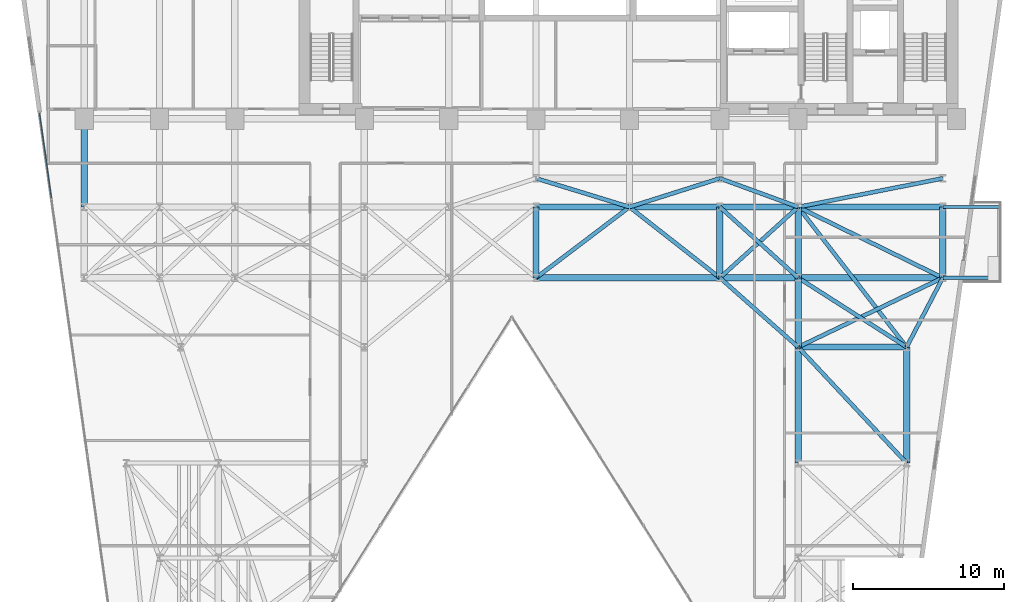
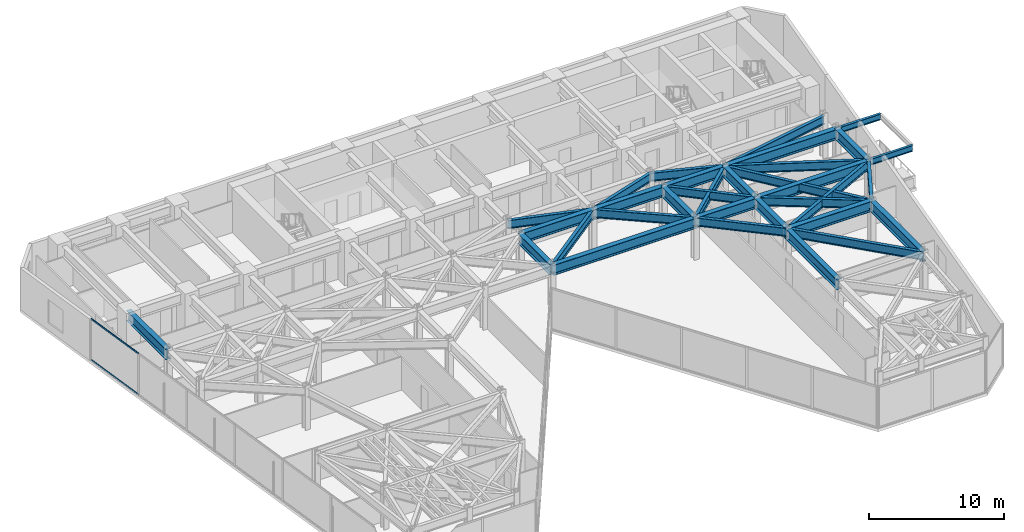
# One storey, part 16 of 24: 33 beams, 2 members, 1 element without a shape of its own.
"""IFC4 building model written with IfcOpenShell, lengths in metres."""

from ifc_helpers import new_model, si_unit, direction, frame, origin, origin_2d, place, context, subcontext, project, spatial, hollow_rectangle, i_section, extrude, material, layer, layer_set, material_profile, profile_set, type_object, element, aggregate, save


model = new_model("IFC4")

# Units and contexts
model_context = context("Model", 3, precision=1e-05, world=origin(), true_north=direction((0.0, 1.0)))
body_context = subcontext(model_context, "Body", "Model", "MODEL_VIEW")
ifc_project = project(units=[si_unit("LENGTHUNIT", "METRE"), si_unit("AREAUNIT", "SQUARE_METRE"), si_unit("VOLUMEUNIT", "CUBIC_METRE"), si_unit("PLANEANGLEUNIT", "RADIAN"), si_unit("MASSUNIT", "GRAM", prefix="KILO")], contexts=[model_context])

# Site, building, storey
site_placement = place(None, origin())
site = spatial("IfcSite", under=ifc_project, at=site_placement, CompositionType="ELEMENT")
building_placement = place(site_placement, origin())
building = spatial("IfcBuilding", under=site, at=building_placement, Name="Kravanh Interchange Tower", CompositionType="ELEMENT")
storey_placement = place(building_placement, frame((0.0, 0.0, 61.5)))
storey = spatial("IfcBuildingStorey", under=building, at=storey_placement, Name="L14", CompositionType="ELEMENT", Elevation=61.5)

# Curtain wall, members
ifc_material_1 = material(Name="Anodised Bronze Aluminium", Category="aluminium")
ifc_layer = layer(ifc_material_1, 0.179931640625)
ifc_layer_set = layer_set([ifc_layer], Name="Unitised Curtain Wall System CW-Z1 Lower Office")
curtain_wall_type = type_object("IfcCurtainWallType", Name="Unitised Curtain Wall System CW-Z1 Lower Office", PredefinedType="NOTDEFINED", material=ifc_layer_set)
curtain_wall_placement = place(storey_placement, origin())
curtain_wall = element("IfcCurtainWall", 1, at=curtain_wall_placement, inside=storey, type_object=curtain_wall_type, Name="L14 Unitised Curtain Wall CW-L14-01", PredefinedType="NOTDEFINED")
ifc_material_2 = material(Name="Anodised Bronze Aluminium", Category="aluminium")
ifc_material_profile_1 = material_profile(ifc_material_2, hollow_rectangle(XDim=0.06005859375, YDim=0.139892578125, WallThickness=0.00390625, at=origin_2d()), Name="ALU60X140X4")
ifc_profile_set_1 = profile_set([ifc_material_profile_1], Name="Anodised Bronze Aluminium")
member_type = type_object("IfcMemberType", Name="Curtain Wall Transom ALU60X140X4 Bronze", PredefinedType="USERDEFINED", material=ifc_profile_set_1)
member_1_placement = place(storey_placement, frame((6.422607421875, 32.1240234375, 0.030029296875), z_axis=(-0.139193386559, 0.990265217575, 0.0), x_axis=(-0.990265217575, -0.139193386559, 0.0)))
member_1 = element("IfcMember", 2, at=member_1_placement, type_object=member_type, Name="CW-Z1 transom 6.1", ObjectType="TRANSOM", PredefinedType="USERDEFINED", context=body_context, shape_type="SweptSolid", body=[
    extrude(hollow_rectangle(XDim=0.06005859375, YDim=0.139892578125, WallThickness=0.00390625, at=origin_2d()), origin(), (0.0, 0.0, 1.0), 5.661865234375),
])
member_2_placement = place(storey_placement, frame((6.422607421875, 32.1240234375, 3.7099609375), z_axis=(-0.139193386559, 0.990265217575, 0.0), x_axis=(-0.990265217575, -0.139193386559, 0.0)))
member_2 = element("IfcMember", 3, at=member_2_placement, type_object=member_type, Name="CW-Z1 transom 6.2", ObjectType="TRANSOM", PredefinedType="USERDEFINED", context=body_context, shape_type="SweptSolid", body=[
    extrude(hollow_rectangle(XDim=0.06005859375, YDim=0.139892578125, WallThickness=0.00390625, at=origin_2d()), origin(), (0.0, 0.0, 1.0), 5.661865234375),
])
aggregate(curtain_wall, [member_1, member_2])

# Beams
ifc_material_3 = material(Name="Structural Steel S355", Category="steel")
ifc_material_profile_2 = material_profile(ifc_material_3, i_section(OverallWidth=0.41796875, OverallDepth=0.927001953125, WebThickness=0.019287109375, FlangeThickness=0.031982421875, FilletRadius=0.028076171875, at=origin_2d()), Name="W36X231")
ifc_profile_set_2 = profile_set([ifc_material_profile_2], Name="Structural Steel S355")
beam_type_1 = type_object("IfcBeamType", Name="Floor Beam W36X231 Structural Steel S355", PredefinedType="BEAM", material=ifc_profile_set_2)
beam_1_placement = place(storey_placement, frame((8.60009765625, 37.35009765625, 3.276611328125), z_axis=(0.0, -1.0, 0.0), x_axis=(1.0, 0.0, 0.0)))
element("IfcBeam", 4, at=beam_1_placement, inside=storey, type_object=beam_type_1, Name="L14 Primary Floor Girder 36", PredefinedType="BEAM", context=body_context, shape_type="SweptSolid", body=[
    extrude(i_section(OverallWidth=0.41796875, OverallDepth=0.927001953125, WebThickness=0.019287109375, FlangeThickness=0.031982421875, FilletRadius=0.028076171875, at=origin_2d()), origin(), (0.0, 0.0, 1.0), 5.85009765625),
])
for number, where, z_axis, x_axis, name in (
    (5, (56.0, 14.5, 3.276611328125), (0.0, 1.0, 0.0), (-1.0, 0.0, 0.0), "L14 Primary Floor Girder 44"),
    (6, (63.199951171875, 14.5, 3.276611328125), (0.0, 1.0, 0.0), (-1.0, 0.0, 0.0), "L14 Primary Floor Girder 47"),
):
    element("IfcBeam", number, at=place(storey_placement, frame(where, z_axis=z_axis, x_axis=x_axis)), inside=storey, type_object=beam_type_1, Name=name, PredefinedType="BEAM", context=body_context, shape_type="SweptSolid", body=[
        extrude(i_section(OverallWidth=0.41796875, OverallDepth=0.927001953125, WebThickness=0.019287109375, FlangeThickness=0.031982421875, FilletRadius=0.028076171875, at=origin_2d()), origin(), (0.0, 0.0, 1.0), 7.699951171875),
    ])
beam_2_placement = place(storey_placement, frame((56.0, 22.199951171875, 3.276611328125), z_axis=(0.0, 1.0, 0.0), x_axis=(-1.0, 0.0, 0.0)))
element("IfcBeam", 7, at=beam_2_placement, inside=storey, type_object=beam_type_1, Name="L14 Primary Floor Girder 58", PredefinedType="BEAM", context=body_context, shape_type="SweptSolid", body=[
    extrude(i_section(OverallWidth=0.41796875, OverallDepth=0.927001953125, WebThickness=0.019287109375, FlangeThickness=0.031982421875, FilletRadius=0.028076171875, at=origin_2d()), origin(), (0.0, 0.0, 1.0), 4.60009765625),
])
beam_3_placement = place(storey_placement, frame((56.0, 22.199951171875, 3.276611328125), z_axis=(1.0, 0.0, 0.0), x_axis=(0.0, 1.0, 0.0)))
element("IfcBeam", 8, at=beam_3_placement, inside=storey, type_object=beam_type_1, Name="L14 Primary Floor Girder 60", PredefinedType="BEAM", context=body_context, shape_type="SweptSolid", body=[
    extrude(i_section(OverallWidth=0.41796875, OverallDepth=0.927001953125, WebThickness=0.019287109375, FlangeThickness=0.031982421875, FilletRadius=0.028076171875, at=origin_2d()), origin(), (0.0, 0.0, 1.0), 7.199951171875),
])
beam_4_placement = place(storey_placement, frame((38.60009765625, 26.800048828125, 3.276611328125), z_axis=(0.0, 1.0, 0.0), x_axis=(-1.0, 0.0, 0.0)))
element("IfcBeam", 9, at=beam_4_placement, inside=storey, type_object=beam_type_1, Name="L14 Primary Floor Girder 86", PredefinedType="BEAM", context=body_context, shape_type="SweptSolid", body=[
    extrude(i_section(OverallWidth=0.41796875, OverallDepth=0.927001953125, WebThickness=0.019287109375, FlangeThickness=0.031982421875, FilletRadius=0.028076171875, at=origin_2d()), origin(), (0.0, 0.0, 1.0), 4.699951171875),
])
beam_5_placement = place(storey_placement, frame((38.60009765625, 26.800048828125, 3.276611328125), z_axis=(1.0, 0.0, 0.0), x_axis=(0.0, 1.0, 0.0)))
element("IfcBeam", 10, at=beam_5_placement, inside=storey, type_object=beam_type_1, Name="L14 Primary Floor Girder 89", PredefinedType="BEAM", context=body_context, shape_type="SweptSolid", body=[
    extrude(i_section(OverallWidth=0.41796875, OverallDepth=0.927001953125, WebThickness=0.019287109375, FlangeThickness=0.031982421875, FilletRadius=0.028076171875, at=origin_2d()), origin(), (0.0, 0.0, 1.0), 12.199951171875),
])
beam_6_placement = place(storey_placement, frame((50.800048828125, 26.800048828125, 3.276611328125), z_axis=(0.0, 1.0, 0.0), x_axis=(-1.0, 0.0, 0.0)))
element("IfcBeam", 11, at=beam_6_placement, inside=storey, type_object=beam_type_1, Name="L14 Primary Floor Girder 90", PredefinedType="BEAM", context=body_context, shape_type="SweptSolid", body=[
    extrude(i_section(OverallWidth=0.41796875, OverallDepth=0.927001953125, WebThickness=0.019287109375, FlangeThickness=0.031982421875, FilletRadius=0.028076171875, at=origin_2d()), origin(), (0.0, 0.0, 1.0), 4.699951171875),
])
beam_7_placement = place(storey_placement, frame((50.800048828125, 26.800048828125, 3.276611328125), z_axis=(1.0, 0.0, 0.0), x_axis=(0.0, 1.0, 0.0)))
element("IfcBeam", 12, at=beam_7_placement, inside=storey, type_object=beam_type_1, Name="L14 Primary Floor Girder 91", PredefinedType="BEAM", context=body_context, shape_type="SweptSolid", body=[
    extrude(i_section(OverallWidth=0.41796875, OverallDepth=0.927001953125, WebThickness=0.019287109375, FlangeThickness=0.031982421875, FilletRadius=0.028076171875, at=origin_2d()), origin(), (0.0, 0.0, 1.0), 5.199951171875),
])
beam_8_placement = place(storey_placement, frame((56.0, 26.800048828125, 3.276611328125), z_axis=(0.0, 1.0, 0.0), x_axis=(-1.0, 0.0, 0.0)))
element("IfcBeam", 13, at=beam_8_placement, inside=storey, type_object=beam_type_1, Name="L14 Primary Floor Girder 94", PredefinedType="BEAM", context=body_context, shape_type="SweptSolid", body=[
    extrude(i_section(OverallWidth=0.41796875, OverallDepth=0.927001953125, WebThickness=0.019287109375, FlangeThickness=0.031982421875, FilletRadius=0.028076171875, at=origin_2d()), origin(), (0.0, 0.0, 1.0), 4.699951171875),
])
beam_9_placement = place(storey_placement, frame((56.0, 26.800048828125, 3.276611328125), z_axis=(1.0, 0.0, 0.0), x_axis=(0.0, 1.0, 0.0)))
element("IfcBeam", 14, at=beam_9_placement, inside=storey, type_object=beam_type_1, Name="L14 Primary Floor Girder 97", PredefinedType="BEAM", context=body_context, shape_type="SweptSolid", body=[
    extrude(i_section(OverallWidth=0.41796875, OverallDepth=0.927001953125, WebThickness=0.019287109375, FlangeThickness=0.031982421875, FilletRadius=0.028076171875, at=origin_2d()), origin(), (0.0, 0.0, 1.0), 9.60009765625),
])
beam_10_placement = place(storey_placement, frame((65.60009765625, 26.800048828125, 3.276611328125), z_axis=(0.0, 1.0, 0.0), x_axis=(-1.0, 0.0, 0.0)))
element("IfcBeam", 15, at=beam_10_placement, inside=storey, type_object=beam_type_1, Name="L14 Primary Floor Girder 98", PredefinedType="BEAM", context=body_context, shape_type="SweptSolid", body=[
    extrude(i_section(OverallWidth=0.41796875, OverallDepth=0.927001953125, WebThickness=0.019287109375, FlangeThickness=0.031982421875, FilletRadius=0.028076171875, at=origin_2d()), origin(), (0.0, 0.0, 1.0), 4.699951171875),
])
beam_11_placement = place(storey_placement, frame((38.60009765625, 31.5, 3.276611328125), z_axis=(1.0, 0.0, 0.0), x_axis=(0.0, 1.0, 0.0)))
element("IfcBeam", 16, at=beam_11_placement, inside=storey, type_object=beam_type_1, Name="L14 Primary Floor Girder 111", PredefinedType="BEAM", context=body_context, shape_type="SweptSolid", body=[
    extrude(i_section(OverallWidth=0.41796875, OverallDepth=0.927001953125, WebThickness=0.019287109375, FlangeThickness=0.031982421875, FilletRadius=0.028076171875, at=origin_2d()), origin(), (0.0, 0.0, 1.0), 6.199951171875),
])
beam_12_placement = place(storey_placement, frame((44.800048828125, 31.5, 3.276611328125), z_axis=(1.0, 0.0, 0.0), x_axis=(0.0, 1.0, 0.0)))
element("IfcBeam", 17, at=beam_12_placement, inside=storey, type_object=beam_type_1, Name="L14 Primary Floor Girder 113", PredefinedType="BEAM", context=body_context, shape_type="SweptSolid", body=[
    extrude(i_section(OverallWidth=0.41796875, OverallDepth=0.927001953125, WebThickness=0.019287109375, FlangeThickness=0.031982421875, FilletRadius=0.028076171875, at=origin_2d()), origin(), (0.0, 0.0, 1.0), 6.0),
])
beam_13_placement = place(storey_placement, frame((50.800048828125, 31.5, 3.276611328125), z_axis=(1.0, 0.0, 0.0), x_axis=(0.0, 1.0, 0.0)))
element("IfcBeam", 18, at=beam_13_placement, inside=storey, type_object=beam_type_1, Name="L14 Primary Floor Girder 116", PredefinedType="BEAM", context=body_context, shape_type="SweptSolid", body=[
    extrude(i_section(OverallWidth=0.41796875, OverallDepth=0.927001953125, WebThickness=0.019287109375, FlangeThickness=0.031982421875, FilletRadius=0.028076171875, at=origin_2d()), origin(), (0.0, 0.0, 1.0), 5.199951171875),
])
beam_14_placement = place(storey_placement, frame((56.0, 31.5, 3.276611328125), z_axis=(1.0, 0.0, 0.0), x_axis=(0.0, 1.0, 0.0)))
element("IfcBeam", 19, at=beam_14_placement, inside=storey, type_object=beam_type_1, Name="L14 Primary Floor Girder 119", PredefinedType="BEAM", context=body_context, shape_type="SweptSolid", body=[
    extrude(i_section(OverallWidth=0.41796875, OverallDepth=0.927001953125, WebThickness=0.019287109375, FlangeThickness=0.031982421875, FilletRadius=0.028076171875, at=origin_2d()), origin(), (0.0, 0.0, 1.0), 9.60009765625),
])
ifc_material_4 = material(Name="Structural Steel S355", Category="steel")
ifc_material_profile_3 = material_profile(ifc_material_4, i_section(OverallWidth=0.2099609375, OverallDepth=0.537109375, WebThickness=0.010986328125, FlangeThickness=0.017333984375, FilletRadius=0.02001953125, at=origin_2d()), Name="W21X68")
ifc_profile_set_3 = profile_set([ifc_material_profile_3], Name="Structural Steel S355")
beam_type_2 = type_object("IfcBeamType", Name="Floor Spandrel W21X68 Structural Steel S355", PredefinedType="SPANDREL", material=ifc_profile_set_3)
for number, where, z_axis, x_axis, name in (
    (20, (65.60009765625, 26.800048828125, 3.471435546875), (1.0, 0.0, 0.0), (0.0, 1.0, 0.0), "L14 Balcony Cantilever Outrigger E1"),
    (21, (65.60009765625, 31.5, 3.471435546875), (1.0, 0.0, 0.0), (0.0, 1.0, 0.0), "L14 Balcony Cantilever Outrigger E2"),
):
    element("IfcBeam", number, at=place(storey_placement, frame(where, z_axis=z_axis, x_axis=x_axis)), inside=storey, type_object=beam_type_2, Name=name, PredefinedType="SPANDREL", context=body_context, shape_type="SweptSolid", body=[
        extrude(i_section(OverallWidth=0.2099609375, OverallDepth=0.537109375, WebThickness=0.010986328125, FlangeThickness=0.017333984375, FilletRadius=0.02001953125, at=origin_2d()), origin(), (0.0, 0.0, 1.0), 3.72998046875),
    ])
ifc_material_5 = material(Name="Structural Steel S355", Category="steel")
ifc_material_profile_4 = material_profile(ifc_material_5, i_section(OverallWidth=0.26708984375, OverallDepth=0.761962890625, WebThickness=0.014404296875, FlangeThickness=0.021484375, FilletRadius=0.02490234375, at=origin_2d()), Name="W30X116")
ifc_profile_set_4 = profile_set([ifc_material_profile_4], Name="Structural Steel S355")
beam_type_3 = type_object("IfcBeamType", Name="Floor Spandrel W30X116 Structural Steel S355", PredefinedType="SPANDREL", material=ifc_profile_set_4)
beam_15_placement = place(storey_placement, frame((63.199951171875, 14.5, 3.35888671875), z_axis=(-0.682993762113, 0.73042420614, 0.0), x_axis=(-0.73042420614, -0.682993762113, 0.0)))
element("IfcBeam", 22, at=beam_15_placement, inside=storey, type_object=beam_type_3, Name="L14 Perimeter Spandrel 49", PredefinedType="SPANDREL", context=body_context, shape_type="SweptSolid", body=[
    extrude(i_section(OverallWidth=0.26708984375, OverallDepth=0.761962890625, WebThickness=0.014404296875, FlangeThickness=0.021484375, FilletRadius=0.02490234375, at=origin_2d()), origin(), (0.0, 0.0, 1.0), 10.541748046875),
])
beam_16_placement = place(storey_placement, frame((56.0, 22.199951171875, 3.35888671875), z_axis=(-0.74898649432, 0.662585263439, 0.0), x_axis=(-0.662585263439, -0.74898649432, 0.0)))
element("IfcBeam", 23, at=beam_16_placement, inside=storey, type_object=beam_type_3, Name="L14 Perimeter Spandrel 59", PredefinedType="SPANDREL", context=body_context, shape_type="SweptSolid", body=[
    extrude(i_section(OverallWidth=0.26708984375, OverallDepth=0.761962890625, WebThickness=0.014404296875, FlangeThickness=0.021484375, FilletRadius=0.02490234375, at=origin_2d()), origin(), (0.0, 0.0, 1.0), 6.942626953125),
])
beam_17_placement = place(storey_placement, frame((56.0, 22.199951171875, 3.35888671875), z_axis=(0.901814166789, 0.432124066188, 0.0), x_axis=(-0.432124066188, 0.901814166789, 0.0)))
element("IfcBeam", 24, at=beam_17_placement, inside=storey, type_object=beam_type_3, Name="L14 Perimeter Spandrel 61", PredefinedType="SPANDREL", context=body_context, shape_type="SweptSolid", body=[
    extrude(i_section(OverallWidth=0.26708984375, OverallDepth=0.761962890625, WebThickness=0.014404296875, FlangeThickness=0.021484375, FilletRadius=0.02490234375, at=origin_2d()), origin(), (0.0, 0.0, 1.0), 10.645263671875),
])
beam_18_placement = place(storey_placement, frame((63.199951171875, 22.199951171875, 3.35888671875), z_axis=(0.462580479178, 0.886577295155, 0.0), x_axis=(-0.886577295155, 0.462580479178, 0.0)))
element("IfcBeam", 25, at=beam_18_placement, inside=storey, type_object=beam_type_3, Name="L14 Perimeter Spandrel 62", PredefinedType="SPANDREL", context=body_context, shape_type="SweptSolid", body=[
    extrude(i_section(OverallWidth=0.26708984375, OverallDepth=0.761962890625, WebThickness=0.014404296875, FlangeThickness=0.021484375, FilletRadius=0.02490234375, at=origin_2d()), origin(), (0.0, 0.0, 1.0), 5.188720703125),
])
beam_19_placement = place(storey_placement, frame((63.199951171875, 22.199951171875, 3.35888671875), z_axis=(-0.842689417531, 0.53839998661, 0.0), x_axis=(-0.53839998661, -0.842689417531, 0.0)))
element("IfcBeam", 26, at=beam_19_placement, inside=storey, type_object=beam_type_3, Name="L14 Perimeter Spandrel 63", PredefinedType="SPANDREL", context=body_context, shape_type="SweptSolid", body=[
    extrude(i_section(OverallWidth=0.26708984375, OverallDepth=0.761962890625, WebThickness=0.014404296875, FlangeThickness=0.021484375, FilletRadius=0.02490234375, at=origin_2d()), origin(), (0.0, 0.0, 1.0), 8.5439453125),
])
beam_20_placement = place(storey_placement, frame((63.199951171875, 22.199951171875, 3.35888671875), z_axis=(-0.612168587637, 0.790727273028, 0.0), x_axis=(-0.790727273028, -0.612168587637, 0.0)))
element("IfcBeam", 27, at=beam_20_placement, inside=storey, type_object=beam_type_3, Name="L14 Perimeter Spandrel 65", PredefinedType="SPANDREL", context=body_context, shape_type="SweptSolid", body=[
    extrude(i_section(OverallWidth=0.26708984375, OverallDepth=0.761962890625, WebThickness=0.014404296875, FlangeThickness=0.021484375, FilletRadius=0.02490234375, at=origin_2d()), origin(), (0.0, 0.0, 1.0), 11.761474609375),
])
beam_21_placement = place(storey_placement, frame((38.60009765625, 26.800048828125, 3.35888671875), z_axis=(0.796905365509, 0.604104161898, 0.0), x_axis=(-0.604104161898, 0.796905365509, 0.0)))
element("IfcBeam", 28, at=beam_21_placement, inside=storey, type_object=beam_type_3, Name="L14 Perimeter Spandrel 88", PredefinedType="SPANDREL", context=body_context, shape_type="SweptSolid", body=[
    extrude(i_section(OverallWidth=0.26708984375, OverallDepth=0.761962890625, WebThickness=0.014404296875, FlangeThickness=0.021484375, FilletRadius=0.02490234375, at=origin_2d()), origin(), (0.0, 0.0, 1.0), 7.780029296875),
])
beam_22_placement = place(storey_placement, frame((50.800048828125, 26.800048828125, 3.35888671875), z_axis=(0.741874009795, 0.670539300557, 0.0), x_axis=(-0.670539300557, 0.741874009795, 0.0)))
element("IfcBeam", 29, at=beam_22_placement, inside=storey, type_object=beam_type_3, Name="L14 Perimeter Spandrel 92", PredefinedType="SPANDREL", context=body_context, shape_type="SweptSolid", body=[
    extrude(i_section(OverallWidth=0.26708984375, OverallDepth=0.761962890625, WebThickness=0.014404296875, FlangeThickness=0.021484375, FilletRadius=0.02490234375, at=origin_2d()), origin(), (0.0, 0.0, 1.0), 7.00927734375),
])
beam_23_placement = place(storey_placement, frame((50.800048828125, 26.800048828125, 3.35888671875), z_axis=(-0.787231163579, 0.616658004967, 0.0), x_axis=(-0.616658004967, -0.787231163579, 0.0)))
element("IfcBeam", 30, at=beam_23_placement, inside=storey, type_object=beam_type_3, Name="L14 Perimeter Spandrel 93", PredefinedType="SPANDREL", context=body_context, shape_type="SweptSolid", body=[
    extrude(i_section(OverallWidth=0.26708984375, OverallDepth=0.761962890625, WebThickness=0.014404296875, FlangeThickness=0.021484375, FilletRadius=0.02490234375, at=origin_2d()), origin(), (0.0, 0.0, 1.0), 7.62158203125),
])
beam_24_placement = place(storey_placement, frame((56.0, 26.800048828125, 3.35888671875), z_axis=(-0.741874009795, 0.670539300557, 0.0), x_axis=(-0.670539300557, -0.741874009795, 0.0)))
element("IfcBeam", 31, at=beam_24_placement, inside=storey, type_object=beam_type_3, Name="L14 Perimeter Spandrel 95", PredefinedType="SPANDREL", context=body_context, shape_type="SweptSolid", body=[
    extrude(i_section(OverallWidth=0.26708984375, OverallDepth=0.761962890625, WebThickness=0.014404296875, FlangeThickness=0.021484375, FilletRadius=0.02490234375, at=origin_2d()), origin(), (0.0, 0.0, 1.0), 7.00927734375),
])
beam_25_placement = place(storey_placement, frame((65.60009765625, 26.800048828125, 3.35888671875), z_axis=(-0.898141688387, 0.439706160499, 0.0), x_axis=(-0.439706160499, -0.898141688387, 0.0)))
element("IfcBeam", 32, at=beam_25_placement, inside=storey, type_object=beam_type_3, Name="L14 Perimeter Spandrel 99", PredefinedType="SPANDREL", context=body_context, shape_type="SweptSolid", body=[
    extrude(i_section(OverallWidth=0.26708984375, OverallDepth=0.761962890625, WebThickness=0.014404296875, FlangeThickness=0.021484375, FilletRadius=0.02490234375, at=origin_2d()), origin(), (0.0, 0.0, 1.0), 10.68896484375),
])
beam_26_placement = place(storey_placement, frame((44.800048828125, 31.5, 3.35888671875), z_axis=(0.953346691051, 0.301877602122, 0.0), x_axis=(-0.301877602122, 0.953346691051, 0.0)))
element("IfcBeam", 33, at=beam_26_placement, inside=storey, type_object=beam_type_3, Name="L14 Perimeter Spandrel 114", PredefinedType="SPANDREL", context=body_context, shape_type="SweptSolid", body=[
    extrude(i_section(OverallWidth=0.26708984375, OverallDepth=0.761962890625, WebThickness=0.014404296875, FlangeThickness=0.021484375, FilletRadius=0.02490234375, at=origin_2d()), origin(), (0.0, 0.0, 1.0), 6.293701171875),
])
beam_27_placement = place(storey_placement, frame((44.800048828125, 31.5, 3.35888671875), z_axis=(-0.956115397264, 0.292990353279, 0.0), x_axis=(-0.292990353279, -0.956115397264, 0.0)))
element("IfcBeam", 34, at=beam_27_placement, inside=storey, type_object=beam_type_3, Name="L14 Perimeter Spandrel 115", PredefinedType="SPANDREL", context=body_context, shape_type="SweptSolid", body=[
    extrude(i_section(OverallWidth=0.26708984375, OverallDepth=0.761962890625, WebThickness=0.014404296875, FlangeThickness=0.021484375, FilletRadius=0.02490234375, at=origin_2d()), origin(), (0.0, 0.0, 1.0), 6.484619140625),
])
beam_28_placement = place(storey_placement, frame((56.0, 31.5, 3.35888671875), z_axis=(-0.93926957103, 0.343180233896, 0.0), x_axis=(-0.343180233896, -0.93926957103, 0.0)))
element("IfcBeam", 35, at=beam_28_placement, inside=storey, type_object=beam_type_3, Name="L14 Perimeter Spandrel 118", PredefinedType="SPANDREL", context=body_context, shape_type="SweptSolid", body=[
    extrude(i_section(OverallWidth=0.26708984375, OverallDepth=0.761962890625, WebThickness=0.014404296875, FlangeThickness=0.021484375, FilletRadius=0.02490234375, at=origin_2d()), origin(), (0.0, 0.0, 1.0), 5.5361328125),
])
beam_29_placement = place(storey_placement, frame((56.0, 31.5, 3.35888671875), z_axis=(0.980974000807, 0.194139150457, 0.0), x_axis=(-0.194139150457, 0.980974000807, 0.0)))
element("IfcBeam", 36, at=beam_29_placement, inside=storey, type_object=beam_type_3, Name="L14 Perimeter Spandrel 120", PredefinedType="SPANDREL", context=body_context, shape_type="SweptSolid", body=[
    extrude(i_section(OverallWidth=0.26708984375, OverallDepth=0.761962890625, WebThickness=0.014404296875, FlangeThickness=0.021484375, FilletRadius=0.02490234375, at=origin_2d()), origin(), (0.0, 0.0, 1.0), 9.786376953125),
])

save(model, "model.ifc")
